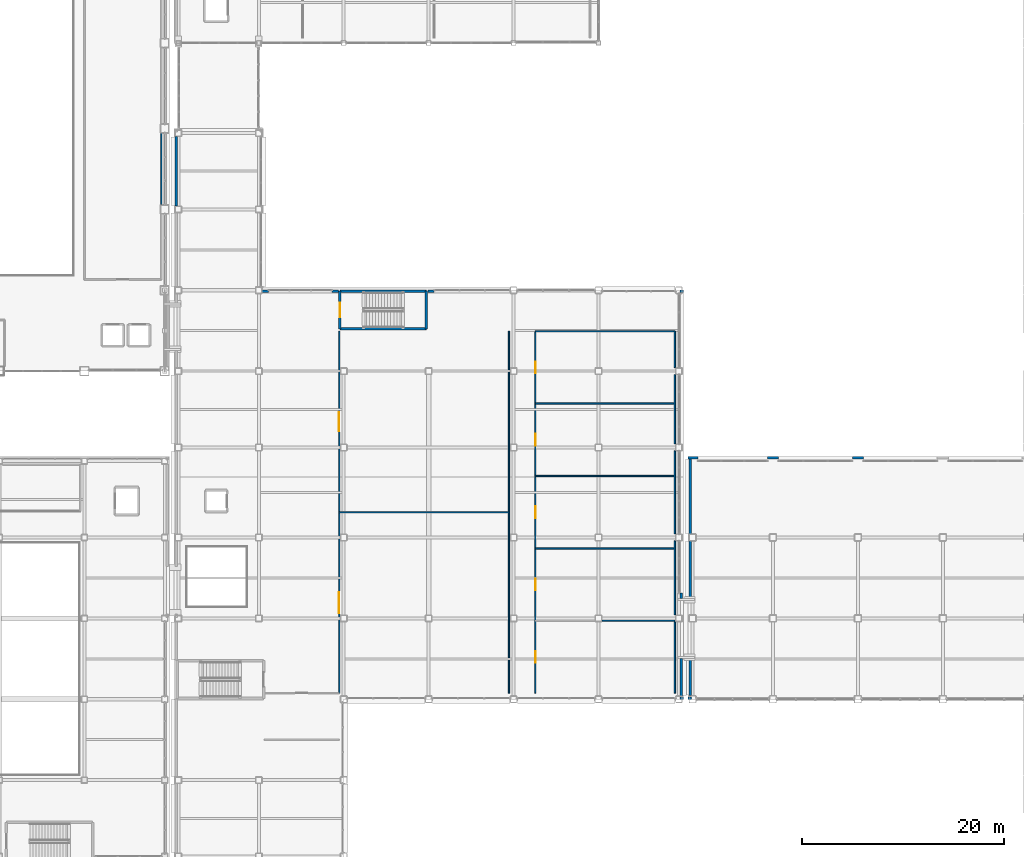
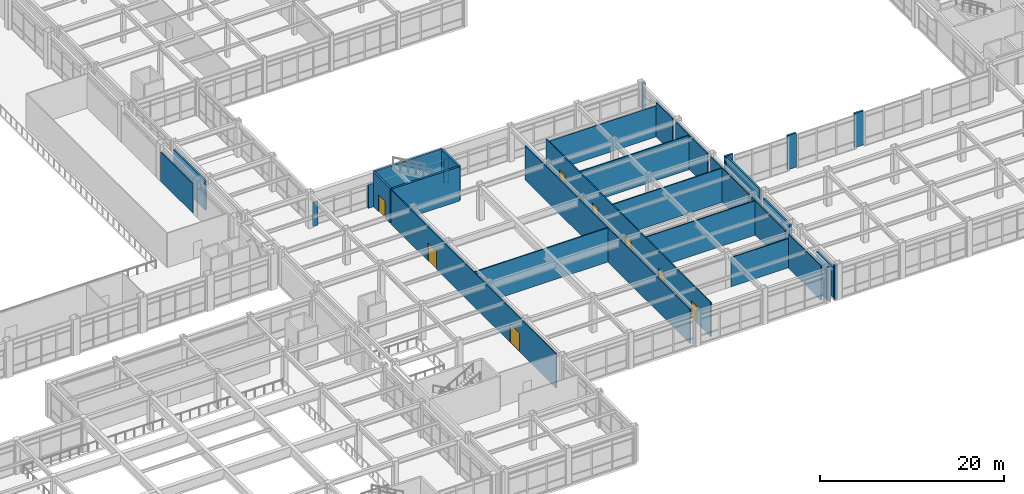
# One storey, part 144 of 172: 34 walls, 8 doors, 8 openings.
"""IFC4 building model written with IfcOpenShell, lengths in metres."""

from ifc_helpers import new_model, si_unit, direction, frame, frame_2d, origin, place, context, subcontext, project, spatial, rectangle, extrude, material, layer, layer_set, type_object, element, fill, save


model = new_model("IFC4")

# Units and contexts
model_context = context("Model", 3, precision=1e-05, world=origin(), true_north=direction((0.0, 1.0)))
body_context = subcontext(model_context, "Body", "Model", "MODEL_VIEW")
ifc_project = project(units=[si_unit("LENGTHUNIT", "METRE"), si_unit("AREAUNIT", "SQUARE_METRE"), si_unit("VOLUMEUNIT", "CUBIC_METRE"), si_unit("PLANEANGLEUNIT", "RADIAN"), si_unit("MASSUNIT", "GRAM", prefix="KILO")], contexts=[model_context])

# Site, building, storey
site_placement = place(None, origin())
site = spatial("IfcSite", under=ifc_project, at=site_placement, CompositionType="ELEMENT")
building_placement = place(site_placement, origin())
building = spatial("IfcBuilding", under=site, at=building_placement, Name="Kazehara Bluff Congress Hotel", CompositionType="ELEMENT")
storey_placement = place(building_placement, frame((0.0, 0.0, 5.39990234375)))
storey = spatial("IfcBuildingStorey", under=building, at=storey_placement, Name="L01", CompositionType="ELEMENT", Elevation=5.39990234375)

# Wall, opening, door
ifc_material_1 = material(Name="Concrete C40/50", Category="concrete")
ifc_layer_1 = layer(ifc_material_1, 0.25)
ifc_layer_set_1 = layer_set([ifc_layer_1], Name="Concrete C40/50")
wall_type_1 = type_object("IfcWallType", Name="TP-CW-RC", PredefinedType="SHEAR", material=ifc_layer_set_1)
wall_1_placement = place(storey_placement, frame((75.675048828125, 52.625, 0.0), z_axis=(0.0, 0.0, 1.0), x_axis=(0.0, 1.0, 0.0)))
wall_1 = element("IfcWall", 1, at=wall_1_placement, inside=storey, type_object=wall_type_1, Name="L01 ST-09 core wall near", PredefinedType="SHEAR", context=body_context, shape_type="SweptSolid", body=[
    extrude(rectangle(XDim=3.75, YDim=0.25, at=frame_2d((1.875, 0.0))), origin(), (0.0, 0.0, 1.0), 4.550048828125),
])
opening_1_placement = place(wall_1_placement, frame((1.175048828125, 0.0, 0.0)))
opening_1 = element("IfcOpeningElement", 2, at=opening_1_placement, cuts=wall_1, Name="Opening FD-03", PredefinedType="OPENING", context=body_context, shape_type="SweptSolid", body=[
    extrude(rectangle(XDim=1.39990234375, YDim=2.25, at=frame_2d((0.699951171875, 1.125))), frame((0.0, 0.135009765625, 0.0), z_axis=(0.0, -1.0, 0.0), x_axis=(1.0, 0.0, 0.0)), (0.0, 0.0, 1.0), 0.27001953125),
])
ifc_material_2 = material(Name="Fire-rated painted steel leaf", Category="steel")
door_type_1 = type_object("IfcDoorType", Name="TP-FD-03", OperationType="NOTDEFINED", PredefinedType="DOOR", material=ifc_material_2)
door_1_placement = place(opening_1_placement, origin())
door_1 = element("IfcDoor", 3, at=door_1_placement, inside=storey, type_object=door_type_1, Name="L01 ST-09 fire stair door", OperationType="SINGLE_SWING_LEFT", OverallHeight=2.25, OverallWidth=1.39990234375, PredefinedType="DOOR", context=body_context, shape_type="SweptSolid", body=[
    extrude(rectangle(XDim=1.39990234375, YDim=2.25, at=frame_2d((0.699951171875, 1.125))), frame((0.0, 0.02490234375, 0.0), z_axis=(0.0, -1.0, 0.0), x_axis=(1.0, 0.0, 0.0)), (0.0, 0.0, 1.0), 0.050048828125),
])
fill(opening_1, door_1)

# Walls
wall_2_placement = place(storey_placement, frame((84.22509765625, 56.375, 0.0), z_axis=(0.0, 0.0, 1.0), x_axis=(0.0, -1.0, 0.0)))
element("IfcWall", 4, at=wall_2_placement, inside=storey, type_object=wall_type_1, Name="L01 ST-09 core wall far", PredefinedType="SHEAR", context=body_context, shape_type="SweptSolid", body=[
    extrude(rectangle(XDim=3.75, YDim=0.25, at=frame_2d((1.875, 0.0))), origin(), (0.0, 0.0, 1.0), 4.550048828125),
])
for number, where, z_axis, x_axis, name in (
    (5, (84.22509765625, 52.625, 0.0), (0.0, 0.0, 1.0), (-1.0, 0.0, 0.0), "L01 ST-09 core wall left"),
    (6, (75.675048828125, 56.375, 0.0), (0.0, 0.0, 1.0), (1.0, 0.0, 0.0), "L01 ST-09 core wall right"),
):
    element("IfcWall", number, at=place(storey_placement, frame(where, z_axis=z_axis, x_axis=x_axis)), inside=storey, type_object=wall_type_1, Name=name, PredefinedType="SHEAR", context=body_context, shape_type="SweptSolid", body=[
        extrude(rectangle(XDim=8.550048828125, YDim=0.25, at=frame_2d((4.27490234375, 0.0))), origin(), (0.0, 0.0, 1.0), 4.550048828125),
    ])
ifc_material_3 = material(Name="Precast concrete C40/50", Category="concrete")
ifc_layer_2 = layer(ifc_material_3, 0.239990234375)
ifc_layer_set_2 = layer_set([ifc_layer_2], Name="Precast concrete C40/50")
wall_type_2 = type_object("IfcWallType", Name="TP-EW-240", PredefinedType="SOLIDWALL", material=ifc_layer_set_2)
wall_3_placement = place(storey_placement, frame((109.64990234375, 16.10009765625, 0.0), z_axis=(0.0, 0.0, 1.0), x_axis=(-1.0, 0.0, 0.0)))
element("IfcWall", 7, at=wall_3_placement, inside=storey, type_object=wall_type_2, Name="L01 V4 perimeter spandrel pier 586", PredefinedType="SOLIDWALL", context=body_context, shape_type="SweptSolid", body=[
    extrude(rectangle(XDim=0.35986328125, YDim=0.239990234375, at=frame_2d((0.179931640625, 0.0))), origin(), (0.0, 0.0, 1.0), 4.53515625),
])
wall_4_placement = place(storey_placement, frame((109.429931640625, 20.050048828125, 0.0), z_axis=(0.0, 0.0, 1.0), x_axis=(0.0, -1.0, 0.0)))
element("IfcWall", 8, at=wall_4_placement, inside=storey, type_object=wall_type_2, Name="L01 V4 perimeter spandrel pier 587", PredefinedType="SOLIDWALL", context=body_context, shape_type="SweptSolid", body=[
    extrude(rectangle(XDim=3.72509765625, YDim=0.239990234375, at=frame_2d((1.862548828125, 0.0))), origin(), (0.0, 0.0, 1.0), 3.875),
])
wall_5_placement = place(storey_placement, frame((109.429931640625, 26.5, 0.0), z_axis=(0.0, 0.0, 1.0), x_axis=(0.0, -1.0, 0.0)))
element("IfcWall", 9, at=wall_5_placement, inside=storey, type_object=wall_type_2, Name="L01 V4 perimeter spandrel pier 588", PredefinedType="SOLIDWALL", context=body_context, shape_type="SweptSolid", body=[
    extrude(rectangle(XDim=0.550048828125, YDim=0.239990234375, at=frame_2d((0.27490234375, 0.0))), origin(), (0.0, 0.0, 1.0), 3.875),
])
wall_6_placement = place(storey_placement, frame((67.97509765625, 56.35009765625, 0.0), z_axis=(0.0, 0.0, 1.0), x_axis=(1.0, 0.0, 0.0)))
element("IfcWall", 10, at=wall_6_placement, inside=storey, type_object=wall_type_2, Name="L01 V4 perimeter spandrel pier 589", PredefinedType="SOLIDWALL", context=body_context, shape_type="SweptSolid", body=[
    extrude(rectangle(XDim=0.625, YDim=0.239990234375, at=frame_2d((0.3125, 0.0))), origin(), (0.0, 0.0, 1.0), 3.125),
])
wall_7_placement = place(storey_placement, frame((74.89990234375, 56.35009765625, 0.0), z_axis=(0.0, 0.0, 1.0), x_axis=(1.0, 0.0, 0.0)))
element("IfcWall", 11, at=wall_7_placement, inside=storey, type_object=wall_type_2, Name="L01 V4 perimeter spandrel pier 590", PredefinedType="SOLIDWALL", context=body_context, shape_type="SweptSolid", body=[
    extrude(rectangle(XDim=0.64013671875, YDim=0.239990234375, at=frame_2d((0.320068359375, 0.0))), origin(), (0.0, 0.0, 1.0), 3.125),
])
wall_8_placement = place(storey_placement, frame((84.360107421875, 56.35009765625, 0.0), z_axis=(0.0, 0.0, 1.0), x_axis=(1.0, 0.0, 0.0)))
element("IfcWall", 12, at=wall_8_placement, inside=storey, type_object=wall_type_2, Name="L01 V4 perimeter spandrel pier 591", PredefinedType="SOLIDWALL", context=body_context, shape_type="SweptSolid", body=[
    extrude(rectangle(XDim=0.639892578125, YDim=0.239990234375, at=frame_2d((0.31982421875, 0.0))), origin(), (0.0, 0.0, 1.0), 3.125),
])
wall_9_placement = place(storey_placement, frame((109.2900390625, 56.35009765625, 0.0), z_axis=(0.0, 0.0, 1.0), x_axis=(1.0, 0.0, 0.0)))
element("IfcWall", 13, at=wall_9_placement, inside=storey, type_object=wall_type_2, Name="L01 V4 perimeter spandrel pier 592", PredefinedType="SOLIDWALL", context=body_context, shape_type="SweptSolid", body=[
    extrude(rectangle(XDim=0.35986328125, YDim=0.239990234375, at=frame_2d((0.179931640625, 0.0))), origin(), (0.0, 0.0, 1.0), 4.53515625),
])
wall_10_placement = place(storey_placement, frame((59.469970703125, 64.77490234375, 0.0), z_axis=(0.0, 0.0, 1.0), x_axis=(0.0, 1.0, 0.0)))
element("IfcWall", 14, at=wall_10_placement, inside=storey, type_object=wall_type_2, Name="L01 V4 perimeter spandrel pier 597", PredefinedType="SOLIDWALL", context=body_context, shape_type="SweptSolid", body=[
    extrude(rectangle(XDim=6.900146484375, YDim=0.239990234375, at=frame_2d((3.4501953125, 0.0))), origin(), (0.0, 0.0, 1.0), 3.875),
])
wall_11_placement = place(storey_placement, frame((110.10009765625, 39.8798828125, 0.0), z_axis=(0.0, 0.0, 1.0), x_axis=(1.0, 0.0, 0.0)))
element("IfcWall", 15, at=wall_11_placement, inside=storey, type_object=wall_type_2, Name="L01 V5 perimeter spandrel pier 612", PredefinedType="SOLIDWALL", context=body_context, shape_type="SweptSolid", body=[
    extrude(rectangle(XDim=1.0, YDim=0.239990234375, at=frame_2d((0.5, 0.0))), origin(), (0.0, 0.0, 1.0), 4.53515625),
])
wall_12_placement = place(storey_placement, frame((117.949951171875, 39.8798828125, 0.0), z_axis=(0.0, 0.0, 1.0), x_axis=(1.0, 0.0, 0.0)))
element("IfcWall", 16, at=wall_12_placement, inside=storey, type_object=wall_type_2, Name="L01 V5 perimeter spandrel pier 613", PredefinedType="SOLIDWALL", context=body_context, shape_type="SweptSolid", body=[
    extrude(rectangle(XDim=1.10009765625, YDim=0.239990234375, at=frame_2d((0.550048828125, 0.0))), origin(), (0.0, 0.0, 1.0), 4.53515625),
])
wall_13_placement = place(storey_placement, frame((126.35009765625, 39.8798828125, 0.0), z_axis=(0.0, 0.0, 1.0), x_axis=(1.0, 0.0, 0.0)))
element("IfcWall", 17, at=wall_13_placement, inside=storey, type_object=wall_type_2, Name="L01 V5 perimeter spandrel pier 614", PredefinedType="SOLIDWALL", context=body_context, shape_type="SweptSolid", body=[
    extrude(rectangle(XDim=1.099853515625, YDim=0.239990234375, at=frame_2d((0.5498046875, 0.0))), origin(), (0.0, 0.0, 1.0), 4.53515625),
])
wall_14_placement = place(storey_placement, frame((110.320068359375, 25.949951171875, 0.0), z_axis=(0.0, 0.0, 1.0), x_axis=(0.0, 1.0, 0.0)))
element("IfcWall", 18, at=wall_14_placement, inside=storey, type_object=wall_type_2, Name="L01 V5 perimeter spandrel pier 617", PredefinedType="SOLIDWALL", context=body_context, shape_type="SweptSolid", body=[
    extrude(rectangle(XDim=5.699951171875, YDim=0.239990234375, at=frame_2d((2.85009765625, 0.0))), origin(), (0.0, 0.0, 1.0), 3.875),
])
wall_15_placement = place(storey_placement, frame((110.320068359375, 32.35009765625, 0.0), z_axis=(0.0, 0.0, 1.0), x_axis=(0.0, 1.0, 0.0)))
element("IfcWall", 19, at=wall_15_placement, inside=storey, type_object=wall_type_2, Name="L01 V5 perimeter spandrel pier 618", PredefinedType="SOLIDWALL", context=body_context, shape_type="SweptSolid", body=[
    extrude(rectangle(XDim=7.39990234375, YDim=0.239990234375, at=frame_2d((3.699951171875, 0.0))), origin(), (0.0, 0.0, 1.0), 4.53515625),
])
wall_16_placement = place(storey_placement, frame((110.320068359375, 16.35009765625, 0.0), z_axis=(0.0, 0.0, 1.0), x_axis=(0.0, 1.0, 0.0)))
element("IfcWall", 20, at=wall_16_placement, inside=storey, type_object=wall_type_2, Name="L01 V5 perimeter spandrel pier 619", PredefinedType="SOLIDWALL", context=body_context, shape_type="SweptSolid", body=[
    extrude(rectangle(XDim=3.699951171875, YDim=0.239990234375, at=frame_2d((1.85009765625, 0.0))), origin(), (0.0, 0.0, 1.0), 3.875),
])
wall_17_placement = place(storey_placement, frame((110.4599609375, 16.10009765625, 0.0), z_axis=(0.0, 0.0, 1.0), x_axis=(-1.0, 0.0, 0.0)))
element("IfcWall", 21, at=wall_17_placement, inside=storey, type_object=wall_type_2, Name="L01 V5 perimeter spandrel pier 620", PredefinedType="SOLIDWALL", context=body_context, shape_type="SweptSolid", body=[
    extrude(rectangle(XDim=0.35986328125, YDim=0.239990234375, at=frame_2d((0.179931640625, 0.0))), origin(), (0.0, 0.0, 1.0), 4.53515625),
])
ifc_material_4 = material(Name="Fire-rated gypsum board stud partition")
ifc_layer_3 = layer(ifc_material_4, 0.1298828125)
ifc_layer_set_3 = layer_set([ifc_layer_3], Name="Fire-rated gypsum board stud partition")
wall_type_3 = type_object("IfcWallType", Name="TP-PT-130", PredefinedType="PARTITIONING", material=ifc_layer_set_3)
wall_18_placement = place(storey_placement, frame((101.594970703125, 23.760009765625, 0.0), z_axis=(0.0, 0.0, 1.0), x_axis=(1.0, 0.0, 0.0)))
element("IfcWall", 22, at=wall_18_placement, inside=storey, type_object=wall_type_3, Name="L01 partition PT-130 138", PredefinedType="PARTITIONING", context=body_context, shape_type="SweptSolid", body=[
    extrude(rectangle(XDim=7.205078125, YDim=0.1298828125, at=frame_2d((3.6025390625, 0.0))), origin(), (0.0, 0.0, 1.0), 3.875),
])
wall_19_placement = place(storey_placement, frame((95.0, 30.919921875, 0.0), z_axis=(0.0, 0.0, 1.0), x_axis=(1.0, 0.0, 0.0)))
element("IfcWall", 23, at=wall_19_placement, inside=storey, type_object=wall_type_3, Name="L01 partition PT-130 140", PredefinedType="PARTITIONING", context=body_context, shape_type="SweptSolid", body=[
    extrude(rectangle(XDim=13.800048828125, YDim=0.1298828125, at=frame_2d((6.89990234375, 0.0))), origin(), (0.0, 0.0, 1.0), 4.53515625),
])
wall_20_placement = place(storey_placement, frame((75.60009765625, 34.5, 0.0), z_axis=(0.0, 0.0, 1.0), x_axis=(1.0, 0.0, 0.0)))
element("IfcWall", 24, at=wall_20_placement, inside=storey, type_object=wall_type_3, Name="L01 partition PT-130 141", PredefinedType="PARTITIONING", context=body_context, shape_type="SweptSolid", body=[
    extrude(rectangle(XDim=16.7998046875, YDim=0.1298828125, at=frame_2d((8.39990234375, 0.0))), origin(), (0.0, 0.0, 1.0), 4.53515625),
])
for number, where, z_axis, x_axis, name in (
    (25, (95.0, 38.080078125, 0.0), (0.0, 0.0, 1.0), (1.0, 0.0, 0.0), "L01 partition PT-130 143"),
    (26, (95.0, 45.239990234375, 0.0), (0.0, 0.0, 1.0), (1.0, 0.0, 0.0), "L01 partition PT-130 148"),
):
    element("IfcWall", number, at=place(storey_placement, frame(where, z_axis=z_axis, x_axis=x_axis)), inside=storey, type_object=wall_type_3, Name=name, PredefinedType="PARTITIONING", context=body_context, shape_type="SweptSolid", body=[
        extrude(rectangle(XDim=13.800048828125, YDim=0.1298828125, at=frame_2d((6.89990234375, 0.0))), origin(), (0.0, 0.0, 1.0), 4.53515625),
    ])
wall_21_placement = place(storey_placement, frame((95.0, 52.39990234375, 0.0), z_axis=(0.0, 0.0, 1.0), x_axis=(1.0, 0.0, 0.0)))
element("IfcWall", 27, at=wall_21_placement, inside=storey, type_object=wall_type_3, Name="L01 partition PT-130 150", PredefinedType="PARTITIONING", context=body_context, shape_type="SweptSolid", body=[
    extrude(rectangle(XDim=13.800048828125, YDim=0.1298828125, at=frame_2d((6.89990234375, 0.0))), origin(), (0.0, 0.0, 1.0), 4.125),
])
wall_22_placement = place(storey_placement, frame((58.0, 64.919921875, 0.0), z_axis=(0.0, 0.0, 1.0), x_axis=(0.0, 1.0, 0.0)))
element("IfcWall", 28, at=wall_22_placement, inside=storey, type_object=wall_type_3, Name="L01 partition PT-130 169", PredefinedType="PARTITIONING", context=body_context, shape_type="SweptSolid", body=[
    extrude(rectangle(XDim=7.06005859375, YDim=0.1298828125, at=frame_2d((3.530029296875, 0.0))), origin(), (0.0, 0.0, 1.0), 3.875),
])

# Wall, openings, doors
wall_23_placement = place(storey_placement, frame((75.60009765625, 16.60009765625, 0.0), z_axis=(0.0, 0.0, 1.0), x_axis=(0.0, 1.0, 0.0)))
wall_23 = element("IfcWall", 29, at=wall_23_placement, inside=storey, type_object=wall_type_3, Name="L01 partition PT-130 173", PredefinedType="PARTITIONING", context=body_context, shape_type="SweptSolid", body=[
    extrude(rectangle(XDim=35.7998046875, YDim=0.1298828125, at=frame_2d((17.89990234375, 0.0))), origin(), (0.0, 0.0, 1.0), 4.53515625),
])
opening_2_placement = place(wall_23_placement, frame((7.925048828125, 0.0, 0.0)))
opening_2 = element("IfcOpeningElement", 30, at=opening_2_placement, cuts=wall_23, Name="Opening AD-05", PredefinedType="OPENING", context=body_context, shape_type="SweptSolid", body=[
    extrude(rectangle(XDim=2.050048828125, YDim=2.449951171875, at=frame_2d((1.02490234375, 1.22509765625))), frame((0.0, 0.074951171875, 0.0), z_axis=(0.0, -1.0, 0.0), x_axis=(1.0, 0.0, 0.0)), (0.0, 0.0, 1.0), 0.14990234375),
])
opening_3_placement = place(wall_23_placement, frame((25.925048828125, 0.0, 0.0)))
opening_3 = element("IfcOpeningElement", 31, at=opening_3_placement, cuts=wall_23, Name="Opening AD-02", PredefinedType="OPENING", context=body_context, shape_type="SweptSolid", body=[
    extrude(rectangle(XDim=1.85009765625, YDim=2.39990234375, at=frame_2d((0.925048828125, 1.199951171875))), frame((0.0, 0.074951171875, 0.0), z_axis=(0.0, -1.0, 0.0), x_axis=(1.0, 0.0, 0.0)), (0.0, 0.0, 1.0), 0.14990234375),
])
ifc_material_5 = material(Name="Architectural oak veneer leaf")
door_type_2 = type_object("IfcDoorType", Name="TP-AD-02", OperationType="DOUBLE_DOOR_SINGLE_SWING", PredefinedType="DOOR", material=ifc_material_5)
door_2_placement = place(opening_3_placement, origin())
door_2 = element("IfcDoor", 32, at=door_2_placement, inside=storey, type_object=door_type_2, Name="L01 Combinable Conference Room B door", OperationType="DOUBLE_DOOR_SINGLE_SWING", OverallHeight=2.39990234375, OverallWidth=1.85009765625, PredefinedType="DOOR", context=body_context, shape_type="SweptSolid", body=[
    extrude(rectangle(XDim=1.85009765625, YDim=2.39990234375, at=frame_2d((0.925048828125, 1.199951171875))), frame((0.0, 0.02490234375, 0.0), z_axis=(0.0, -1.0, 0.0), x_axis=(1.0, 0.0, 0.0)), (0.0, 0.0, 1.0), 0.050048828125),
])
fill(opening_3, door_2)
ifc_material_6 = material(Name="Architectural oak veneer leaf")
door_type_3 = type_object("IfcDoorType", Name="TP-AD-05", OperationType="DOUBLE_DOOR_SINGLE_SWING", PredefinedType="DOOR", material=ifc_material_6)
door_3_placement = place(opening_2_placement, origin())
door_3 = element("IfcDoor", 33, at=door_3_placement, inside=storey, type_object=door_type_3, Name="L01 Combinable Conference Room A door", OperationType="DOUBLE_DOOR_SINGLE_SWING", OverallHeight=2.449951171875, OverallWidth=2.050048828125, PredefinedType="DOOR", context=body_context, shape_type="SweptSolid", body=[
    extrude(rectangle(XDim=2.050048828125, YDim=2.449951171875, at=frame_2d((1.02490234375, 1.22509765625))), frame((0.0, 0.02490234375, 0.0), z_axis=(0.0, -1.0, 0.0), x_axis=(1.0, 0.0, 0.0)), (0.0, 0.0, 1.0), 0.050048828125),
])
fill(opening_2, door_3)

# Wall
wall_24_placement = place(storey_placement, frame((92.39990234375, 16.60009765625, 0.0), z_axis=(0.0, 0.0, 1.0), x_axis=(0.0, 1.0, 0.0)))
element("IfcWall", 34, at=wall_24_placement, inside=storey, type_object=wall_type_3, Name="L01 partition PT-130 175", PredefinedType="PARTITIONING", context=body_context, shape_type="SweptSolid", body=[
    extrude(rectangle(XDim=35.7998046875, YDim=0.1298828125, at=frame_2d((17.89990234375, 0.0))), origin(), (0.0, 0.0, 1.0), 4.53515625),
])

# Wall, openings, doors
wall_25_placement = place(storey_placement, frame((95.0, 16.60009765625, 0.0), z_axis=(0.0, 0.0, 1.0), x_axis=(0.0, 1.0, 0.0)))
wall_25 = element("IfcWall", 35, at=wall_25_placement, inside=storey, type_object=wall_type_3, Name="L01 partition PT-130 177", PredefinedType="PARTITIONING", context=body_context, shape_type="SweptSolid", body=[
    extrude(rectangle(XDim=35.7998046875, YDim=0.1298828125, at=frame_2d((17.89990234375, 0.0))), origin(), (0.0, 0.0, 1.0), 4.53515625),
])
opening_4_placement = place(wall_25_placement, frame((3.0048828125, 0.0, 0.0)))
opening_4 = element("IfcOpeningElement", 36, at=opening_4_placement, cuts=wall_25, Name="Opening ID-04", PredefinedType="OPENING", context=body_context, shape_type="SweptSolid", body=[
    extrude(rectangle(XDim=1.14990234375, YDim=2.219970703125, at=frame_2d((0.574951171875, 1.10986328125))), frame((0.0, 0.074951171875, 0.0), z_axis=(0.0, -1.0, 0.0), x_axis=(1.0, 0.0, 0.0)), (0.0, 0.0, 1.0), 0.14990234375),
])
opening_5_placement = place(wall_25_placement, frame((10.1650390625, 0.0, 0.0)))
opening_5 = element("IfcOpeningElement", 37, at=opening_5_placement, cuts=wall_25, Name="Opening ID-04", PredefinedType="OPENING", context=body_context, shape_type="SweptSolid", body=[
    extrude(rectangle(XDim=1.14990234375, YDim=2.219970703125, at=frame_2d((0.574951171875, 1.10986328125))), frame((0.0, 0.074951171875, 0.0), z_axis=(0.0, -1.0, 0.0), x_axis=(1.0, 0.0, 0.0)), (0.0, 0.0, 1.0), 0.14990234375),
])
opening_6_placement = place(wall_25_placement, frame((17.324951171875, 0.0, 0.0)))
opening_6 = element("IfcOpeningElement", 38, at=opening_6_placement, cuts=wall_25, Name="Opening ID-04", PredefinedType="OPENING", context=body_context, shape_type="SweptSolid", body=[
    extrude(rectangle(XDim=1.14990234375, YDim=2.219970703125, at=frame_2d((0.574951171875, 1.10986328125))), frame((0.0, 0.074951171875, 0.0), z_axis=(0.0, -1.0, 0.0), x_axis=(1.0, 0.0, 0.0)), (0.0, 0.0, 1.0), 0.14990234375),
])
opening_7_placement = place(wall_25_placement, frame((24.485107421875, 0.0, 0.0)))
opening_7 = element("IfcOpeningElement", 39, at=opening_7_placement, cuts=wall_25, Name="Opening ID-04", PredefinedType="OPENING", context=body_context, shape_type="SweptSolid", body=[
    extrude(rectangle(XDim=1.14990234375, YDim=2.219970703125, at=frame_2d((0.574951171875, 1.10986328125))), frame((0.0, 0.074951171875, 0.0), z_axis=(0.0, -1.0, 0.0), x_axis=(1.0, 0.0, 0.0)), (0.0, 0.0, 1.0), 0.14990234375),
])
opening_8_placement = place(wall_25_placement, frame((31.64501953125, 0.0, 0.0)))
opening_8 = element("IfcOpeningElement", 40, at=opening_8_placement, cuts=wall_25, Name="Opening ID-04", PredefinedType="OPENING", context=body_context, shape_type="SweptSolid", body=[
    extrude(rectangle(XDim=1.14990234375, YDim=2.219970703125, at=frame_2d((0.574951171875, 1.10986328125))), frame((0.0, 0.074951171875, 0.0), z_axis=(0.0, -1.0, 0.0), x_axis=(1.0, 0.0, 0.0)), (0.0, 0.0, 1.0), 0.14990234375),
])
ifc_material_7 = material(Name="Architectural oak veneer leaf")
door_type_4 = type_object("IfcDoorType", Name="TP-ID-04", OperationType="NOTDEFINED", PredefinedType="DOOR", material=ifc_material_7)
door_4_placement = place(opening_4_placement, origin())
door_4 = element("IfcDoor", 41, at=door_4_placement, inside=storey, type_object=door_type_4, Name="L01 Meeting Room L01-1 door", OperationType="SINGLE_SWING_LEFT", OverallHeight=2.219970703125, OverallWidth=1.14990234375, PredefinedType="DOOR", context=body_context, shape_type="SweptSolid", body=[
    extrude(rectangle(XDim=1.14990234375, YDim=2.219970703125, at=frame_2d((0.574951171875, 1.10986328125))), frame((0.0, 0.02490234375, 0.0), z_axis=(0.0, -1.0, 0.0), x_axis=(1.0, 0.0, 0.0)), (0.0, 0.0, 1.0), 0.050048828125),
])
fill(opening_4, door_4)
door_5_placement = place(opening_5_placement, origin())
door_5 = element("IfcDoor", 42, at=door_5_placement, inside=storey, type_object=door_type_4, Name="L01 Meeting Room L01-2 door", OperationType="SINGLE_SWING_RIGHT", OverallHeight=2.219970703125, OverallWidth=1.14990234375, PredefinedType="DOOR", context=body_context, shape_type="SweptSolid", body=[
    extrude(rectangle(XDim=1.14990234375, YDim=2.219970703125, at=frame_2d((0.574951171875, 1.10986328125))), frame((0.0, 0.02490234375, 0.0), z_axis=(0.0, -1.0, 0.0), x_axis=(1.0, 0.0, 0.0)), (0.0, 0.0, 1.0), 0.050048828125),
])
fill(opening_5, door_5)
door_6_placement = place(opening_6_placement, origin())
door_6 = element("IfcDoor", 43, at=door_6_placement, inside=storey, type_object=door_type_4, Name="L01 Meeting Room L01-3 door", OperationType="SINGLE_SWING_LEFT", OverallHeight=2.219970703125, OverallWidth=1.14990234375, PredefinedType="DOOR", context=body_context, shape_type="SweptSolid", body=[
    extrude(rectangle(XDim=1.14990234375, YDim=2.219970703125, at=frame_2d((0.574951171875, 1.10986328125))), frame((0.0, 0.02490234375, 0.0), z_axis=(0.0, -1.0, 0.0), x_axis=(1.0, 0.0, 0.0)), (0.0, 0.0, 1.0), 0.050048828125),
])
fill(opening_6, door_6)
door_7_placement = place(opening_7_placement, origin())
door_7 = element("IfcDoor", 44, at=door_7_placement, inside=storey, type_object=door_type_4, Name="L01 Meeting Room L01-4 door", OperationType="SINGLE_SWING_RIGHT", OverallHeight=2.219970703125, OverallWidth=1.14990234375, PredefinedType="DOOR", context=body_context, shape_type="SweptSolid", body=[
    extrude(rectangle(XDim=1.14990234375, YDim=2.219970703125, at=frame_2d((0.574951171875, 1.10986328125))), frame((0.0, 0.02490234375, 0.0), z_axis=(0.0, -1.0, 0.0), x_axis=(1.0, 0.0, 0.0)), (0.0, 0.0, 1.0), 0.050048828125),
])
fill(opening_7, door_7)
door_8_placement = place(opening_8_placement, origin())
door_8 = element("IfcDoor", 45, at=door_8_placement, inside=storey, type_object=door_type_4, Name="L01 Meeting Room L01-5 door", OperationType="SINGLE_SWING_LEFT", OverallHeight=2.219970703125, OverallWidth=1.14990234375, PredefinedType="DOOR", context=body_context, shape_type="SweptSolid", body=[
    extrude(rectangle(XDim=1.14990234375, YDim=2.219970703125, at=frame_2d((0.574951171875, 1.10986328125))), frame((0.0, 0.02490234375, 0.0), z_axis=(0.0, -1.0, 0.0), x_axis=(1.0, 0.0, 0.0)), (0.0, 0.0, 1.0), 0.050048828125),
])
fill(opening_8, door_8)

# Walls
wall_26_placement = place(storey_placement, frame((108.800048828125, 16.60009765625, 0.0), z_axis=(0.0, 0.0, 1.0), x_axis=(0.0, 1.0, 0.0)))
element("IfcWall", 46, at=wall_26_placement, inside=storey, type_object=wall_type_3, Name="L01 partition PT-130 179", PredefinedType="PARTITIONING", context=body_context, shape_type="SweptSolid", body=[
    extrude(rectangle(XDim=7.054931640625, YDim=0.1298828125, at=frame_2d((3.52734375, 0.0))), origin(), (0.0, 0.0, 1.0), 4.53515625),
])
wall_27_placement = place(storey_placement, frame((108.800048828125, 24.344970703125, 0.0), z_axis=(0.0, 0.0, 1.0), x_axis=(0.0, 1.0, 0.0)))
element("IfcWall", 47, at=wall_27_placement, inside=storey, type_object=wall_type_3, Name="L01 partition PT-130 180", PredefinedType="PARTITIONING", context=body_context, shape_type="SweptSolid", body=[
    extrude(rectangle(XDim=7.31005859375, YDim=0.1298828125, at=frame_2d((3.655029296875, 0.0))), origin(), (0.0, 0.0, 1.0), 4.53515625),
])
wall_28_placement = place(storey_placement, frame((108.800048828125, 32.344970703125, 0.0), z_axis=(0.0, 0.0, 1.0), x_axis=(0.0, 1.0, 0.0)))
element("IfcWall", 48, at=wall_28_placement, inside=storey, type_object=wall_type_3, Name="L01 partition PT-130 181", PredefinedType="PARTITIONING", context=body_context, shape_type="SweptSolid", body=[
    extrude(rectangle(XDim=8.2099609375, YDim=0.1298828125, at=frame_2d((4.10498046875, 0.0))), origin(), (0.0, 0.0, 1.0), 4.53515625),
])
wall_29_placement = place(storey_placement, frame((108.800048828125, 41.2451171875, 0.0), z_axis=(0.0, 0.0, 1.0), x_axis=(0.0, 1.0, 0.0)))
element("IfcWall", 49, at=wall_29_placement, inside=storey, type_object=wall_type_3, Name="L01 partition PT-130 182", PredefinedType="PARTITIONING", context=body_context, shape_type="SweptSolid", body=[
    extrude(rectangle(XDim=6.85986328125, YDim=0.1298828125, at=frame_2d((3.429931640625, 0.0))), origin(), (0.0, 0.0, 1.0), 4.53515625),
])
wall_30_placement = place(storey_placement, frame((108.800048828125, 48.794921875, 0.0), z_axis=(0.0, 0.0, 1.0), x_axis=(0.0, 1.0, 0.0)))
element("IfcWall", 50, at=wall_30_placement, inside=storey, type_object=wall_type_3, Name="L01 partition PT-130 183", PredefinedType="PARTITIONING", context=body_context, shape_type="SweptSolid", body=[
    extrude(rectangle(XDim=3.60498046875, YDim=0.1298828125, at=frame_2d((1.802490234375, 0.0))), origin(), (0.0, 0.0, 1.0), 4.53515625),
])

save(model, "model.ifc")
